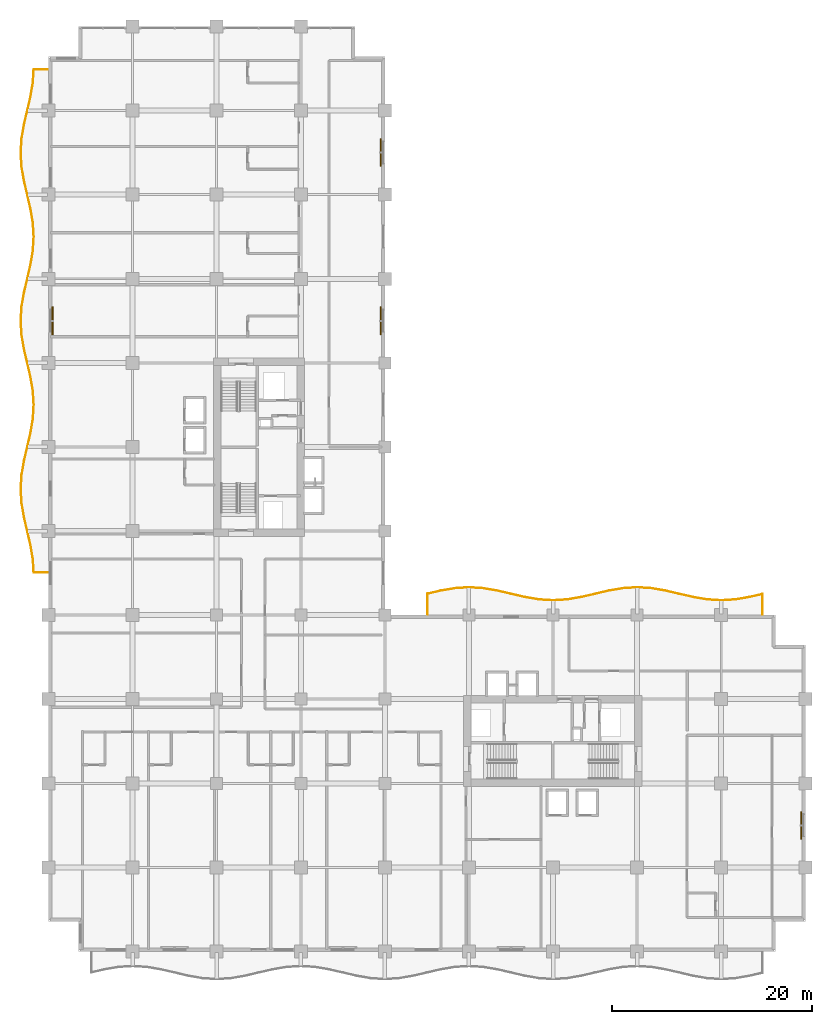
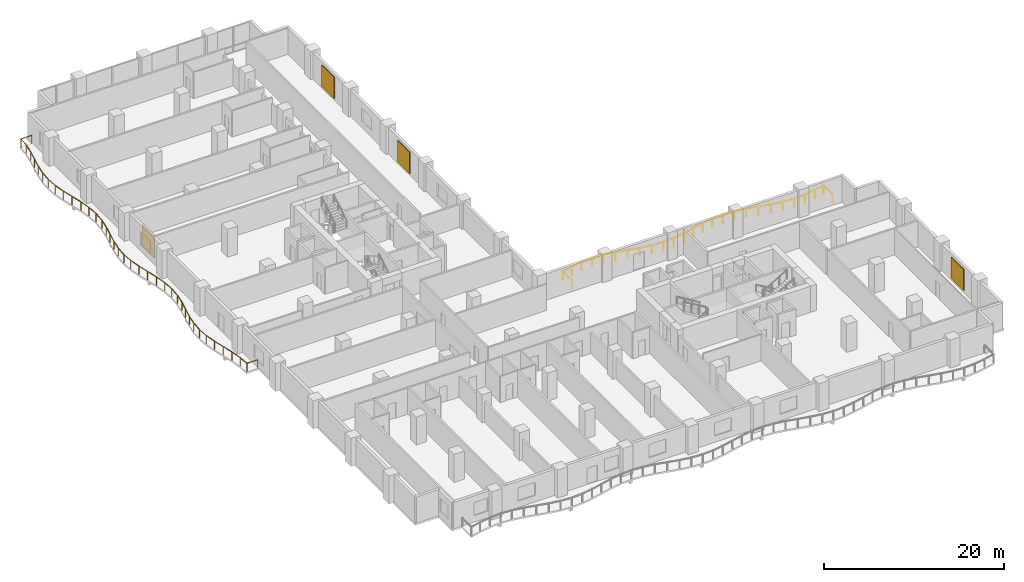
# One storey, part 20 of 20: 4 shading devices, 2 railings.
"""IFC4 building model written with IfcOpenShell, lengths in metres."""

from ifc_helpers import new_model, si_unit, direction, frame, origin, origin_2d, place, context, subcontext, project, spatial, rectangle, circle, extrude, material, layer, layer_set, type_object, element, save


model = new_model("IFC4")

# Units and contexts
model_context = context("Model", 3, precision=1e-05, world=origin(), true_north=direction((0.0, 1.0)))
body_context = subcontext(model_context, "Body", "Model", "MODEL_VIEW")
ifc_project = project(units=[si_unit("LENGTHUNIT", "METRE"), si_unit("AREAUNIT", "SQUARE_METRE"), si_unit("VOLUMEUNIT", "CUBIC_METRE"), si_unit("PLANEANGLEUNIT", "RADIAN"), si_unit("MASSUNIT", "GRAM", prefix="KILO")], contexts=[model_context])

# Site, building, storey
site_placement = place(None, origin())
site = spatial("IfcSite", under=ifc_project, at=site_placement, CompositionType="ELEMENT")
building_placement = place(site_placement, origin())
building = spatial("IfcBuilding", under=site, at=building_placement, Name="Koriwani Terraces Tower", CompositionType="ELEMENT")
storey_placement = place(building_placement, frame((0.0, 0.0, 126.60009765625)))
storey = spatial("IfcBuildingStorey", under=building, at=storey_placement, Name="L30", CompositionType="ELEMENT", Elevation=126.60009765625)

# Railings
ifc_material_1 = material(Name="Steel ASTM A572 Grade 50", Category="steel")
railing_type = type_object("IfcRailingType", Name="GUARD_BALUSTRADE_1150", PredefinedType="BALUSTRADE", material=ifc_material_1)
railing_1_placement = place(storey_placement, frame((-0.080078125, 37.8798828125, 0.0)))
element("IfcRailing", 1, at=railing_1_placement, inside=storey, type_object=railing_type, Name="L30 Balcony Perimeter Safety Balustrade (W)", PredefinedType="BALUSTRADE", context=body_context, shape_type="SweptSolid", body=[
    extrude(circle(Radius=0.02392578125, at=origin_2d()), frame((0.0, 0.0, 1.1259765625), z_axis=(-1.0, 0.0, 0.0), x_axis=(0.0, -1.0, 0.0)), (0.0, 0.0, 1.0), 1.394775390625),
    extrude(circle(Radius=0.02392578125, at=origin_2d()), frame((-1.394775390625, 0.0, 1.1259765625), z_axis=(-0.062138639454, 0.998067527518, 0.0), x_axis=(-0.998067527518, -0.062138639454, 0.0)), (0.0, 0.0, 1.0), 1.33203125),
    extrude(circle(Radius=0.02392578125, at=origin_2d()), frame((-1.4775390625, 1.329345703125, 1.1259765625), z_axis=(-0.167533954852, 0.985866306337, 0.0), x_axis=(-0.985866306337, -0.167533954852, 0.0)), (0.0, 0.0, 1.0), 1.4267578125),
    extrude(circle(Radius=0.02392578125, at=origin_2d()), frame((-1.716552734375, 2.73583984375, 1.1259765625), z_axis=(-0.226093729043, 0.974105551615, 0.0), x_axis=(-0.974105551615, -0.226093729043, 0.0)), (0.0, 0.0, 1.0), 2.87451171875),
    extrude(circle(Radius=0.02392578125, at=origin_2d()), frame((-2.366455078125, 5.535888671875, 1.1259765625), z_axis=(-0.167563594016, 0.985861269125, 0.0), x_axis=(-0.985861269125, -0.167563594016, 0.0)), (0.0, 0.0, 1.0), 1.413330078125),
    extrude(circle(Radius=0.02392578125, at=origin_2d()), frame((-2.603271484375, 6.92919921875, 1.1259765625), z_axis=(-0.062018352335, 0.998075009192, 0.0), x_axis=(-0.998075009192, -0.062018352335, 0.0)), (0.0, 0.0, 1.0), 1.3935546875),
    extrude(circle(Radius=0.02392578125, at=origin_2d()), frame((-2.689697265625, 8.320068359375, 1.1259765625), z_axis=(0.062018352335, 0.998075009192, 0.0), x_axis=(-0.998075009192, 0.062018352335, 0.0)), (0.0, 0.0, 1.0), 1.3935546875),
    extrude(circle(Radius=0.02392578125, at=origin_2d()), frame((-2.603271484375, 9.7109375, 1.1259765625), z_axis=(0.167563594016, 0.985861269125, 0.0), x_axis=(-0.985861269125, 0.167563594016, 0.0)), (0.0, 0.0, 1.0), 1.413330078125),
    extrude(circle(Radius=0.02392578125, at=origin_2d()), frame((-2.366455078125, 11.104248046875, 1.1259765625), z_axis=(0.226093729043, 0.974105551615, 0.0), x_axis=(-0.974105551615, 0.226093729043, 0.0)), (0.0, 0.0, 1.0), 2.87451171875),
    extrude(circle(Radius=0.02392578125, at=origin_2d()), frame((-1.716552734375, 13.904296875, 1.1259765625), z_axis=(0.16750569507, 0.985871108269, 0.0), x_axis=(-0.985871108269, 0.16750569507, 0.0)), (0.0, 0.0, 1.0), 1.427001953125),
    extrude(circle(Radius=0.02392578125, at=origin_2d()), frame((-1.4775390625, 15.31103515625, 1.1259765625), z_axis=(0.061904605217, 0.9980820707, 0.0), x_axis=(-0.9980820707, 0.061904605217, 0.0)), (0.0, 0.0, 1.0), 1.411865234375),
    extrude(circle(Radius=0.02392578125, at=origin_2d()), frame((-1.39013671875, 16.72021484375, 1.1259765625), z_axis=(-0.061904605217, 0.9980820707, 0.0), x_axis=(-0.9980820707, -0.061904605217, 0.0)), (0.0, 0.0, 1.0), 1.411865234375),
    extrude(circle(Radius=0.02392578125, at=origin_2d()), frame((-1.4775390625, 18.12939453125, 1.1259765625), z_axis=(-0.167533954852, 0.985866306337, 0.0), x_axis=(-0.985866306337, -0.167533954852, 0.0)), (0.0, 0.0, 1.0), 1.4267578125),
    extrude(circle(Radius=0.02392578125, at=origin_2d()), frame((-1.716552734375, 19.535888671875, 1.1259765625), z_axis=(-0.226093729043, 0.974105551615, 0.0), x_axis=(-0.974105551615, -0.226093729043, 0.0)), (0.0, 0.0, 1.0), 2.87451171875),
    extrude(circle(Radius=0.02392578125, at=origin_2d()), frame((-2.366455078125, 22.3359375, 1.1259765625), z_axis=(-0.167563594016, 0.985861269125, 0.0), x_axis=(-0.985861269125, -0.167563594016, 0.0)), (0.0, 0.0, 1.0), 1.413330078125),
    extrude(circle(Radius=0.02392578125, at=origin_2d()), frame((-2.603271484375, 23.729248046875, 1.1259765625), z_axis=(-0.062018352335, 0.998075009192, 0.0), x_axis=(-0.998075009192, -0.062018352335, 0.0)), (0.0, 0.0, 1.0), 1.3935546875),
    extrude(circle(Radius=0.02392578125, at=origin_2d()), frame((-2.689697265625, 25.1201171875, 1.1259765625), z_axis=(0.062018352335, 0.998075009192, 0.0), x_axis=(-0.998075009192, 0.062018352335, 0.0)), (0.0, 0.0, 1.0), 1.3935546875),
    extrude(circle(Radius=0.02392578125, at=origin_2d()), frame((-2.603271484375, 26.510986328125, 1.1259765625), z_axis=(0.167563594016, 0.985861269125, 0.0), x_axis=(-0.985861269125, 0.167563594016, 0.0)), (0.0, 0.0, 1.0), 1.413330078125),
    extrude(circle(Radius=0.02392578125, at=origin_2d()), frame((-2.366455078125, 27.904296875, 1.1259765625), z_axis=(0.226093729043, 0.974105551615, 0.0), x_axis=(-0.974105551615, 0.226093729043, 0.0)), (0.0, 0.0, 1.0), 2.87451171875),
    extrude(circle(Radius=0.02392578125, at=origin_2d()), frame((-1.716552734375, 30.704345703125, 1.1259765625), z_axis=(0.167533954852, 0.985866306337, 0.0), x_axis=(-0.985866306337, 0.167533954852, 0.0)), (0.0, 0.0, 1.0), 1.4267578125),
    extrude(circle(Radius=0.02392578125, at=origin_2d()), frame((-1.4775390625, 32.11083984375, 1.1259765625), z_axis=(0.061904605217, 0.9980820707, 0.0), x_axis=(-0.9980820707, 0.061904605217, 0.0)), (0.0, 0.0, 1.0), 1.411865234375),
    extrude(circle(Radius=0.02392578125, at=origin_2d()), frame((-1.39013671875, 33.52001953125, 1.1259765625), z_axis=(-0.061904605217, 0.9980820707, 0.0), x_axis=(-0.9980820707, -0.061904605217, 0.0)), (0.0, 0.0, 1.0), 1.411865234375),
    extrude(circle(Radius=0.02392578125, at=origin_2d()), frame((-1.4775390625, 34.92919921875, 1.1259765625), z_axis=(-0.16750569507, 0.985871108269, 0.0), x_axis=(-0.985871108269, -0.16750569507, 0.0)), (0.0, 0.0, 1.0), 1.427001953125),
    extrude(circle(Radius=0.02392578125, at=origin_2d()), frame((-1.716552734375, 36.3359375, 1.1259765625), z_axis=(-0.226093729043, 0.974105551615, 0.0), x_axis=(-0.974105551615, -0.226093729043, 0.0)), (0.0, 0.0, 1.0), 2.87451171875),
    extrude(circle(Radius=0.02392578125, at=origin_2d()), frame((-2.366455078125, 39.135986328125, 1.1259765625), z_axis=(-0.167563594016, 0.985861269125, 0.0), x_axis=(-0.985861269125, -0.167563594016, 0.0)), (0.0, 0.0, 1.0), 1.413330078125),
    extrude(circle(Radius=0.02392578125, at=origin_2d()), frame((-2.603271484375, 40.529296875, 1.1259765625), z_axis=(-0.062018352335, 0.998075009192, 0.0), x_axis=(-0.998075009192, -0.062018352335, 0.0)), (0.0, 0.0, 1.0), 1.3935546875),
    extrude(circle(Radius=0.02392578125, at=origin_2d()), frame((-2.689697265625, 41.920166015625, 1.1259765625), z_axis=(0.062018352335, 0.998075009192, 0.0), x_axis=(-0.998075009192, 0.062018352335, 0.0)), (0.0, 0.0, 1.0), 1.3935546875),
    extrude(circle(Radius=0.02392578125, at=origin_2d()), frame((-2.603271484375, 43.31103515625, 1.1259765625), z_axis=(0.167563594016, 0.985861269125, 0.0), x_axis=(-0.985861269125, 0.167563594016, 0.0)), (0.0, 0.0, 1.0), 1.413330078125),
    extrude(circle(Radius=0.02392578125, at=origin_2d()), frame((-2.366455078125, 44.704345703125, 1.1259765625), z_axis=(0.226093729043, 0.974105551615, 0.0), x_axis=(-0.974105551615, 0.226093729043, 0.0)), (0.0, 0.0, 1.0), 2.87451171875),
    extrude(circle(Radius=0.02392578125, at=origin_2d()), frame((-1.716552734375, 47.50439453125, 1.1259765625), z_axis=(0.167533954852, 0.985866306337, 0.0), x_axis=(-0.985866306337, 0.167533954852, 0.0)), (0.0, 0.0, 1.0), 1.4267578125),
    extrude(circle(Radius=0.02392578125, at=origin_2d()), frame((-1.4775390625, 48.910888671875, 1.1259765625), z_axis=(0.062138639454, 0.998067527518, 0.0), x_axis=(-0.998067527518, 0.062138639454, 0.0)), (0.0, 0.0, 1.0), 1.33203125),
    extrude(circle(Radius=0.02392578125, at=origin_2d()), frame((-1.394775390625, 50.240234375, 1.1259765625), z_axis=(1.0, 0.0, 0.0), x_axis=(0.0, 1.0, 0.0)), (0.0, 0.0, 1.0), 1.394775390625),
    extrude(circle(Radius=0.02099609375, at=origin_2d()), origin(), (0.0, 0.0, 1.0), 1.101806640625),
    extrude(circle(Radius=0.02099609375, at=origin_2d()), frame((-1.394775390625, 0.0, 0.0)), (0.0, 0.0, 1.0), 1.101806640625),
    extrude(circle(Radius=0.02099609375, at=origin_2d()), frame((-1.4775390625, 1.329345703125, 0.0)), (0.0, 0.0, 1.0), 1.101806640625),
    extrude(circle(Radius=0.02099609375, at=origin_2d()), frame((-1.716552734375, 2.73583984375, 0.0)), (0.0, 0.0, 1.0), 1.101806640625),
    extrude(circle(Radius=0.02099609375, at=origin_2d()), frame((-2.04150390625, 4.1357421875, 0.0)), (0.0, 0.0, 1.0), 1.101806640625),
    extrude(circle(Radius=0.02099609375, at=origin_2d()), frame((-2.366455078125, 5.535888671875, 0.0)), (0.0, 0.0, 1.0), 1.101806640625),
    extrude(circle(Radius=0.02099609375, at=origin_2d()), frame((-2.603271484375, 6.92919921875, 0.0)), (0.0, 0.0, 1.0), 1.101806640625),
    extrude(circle(Radius=0.02099609375, at=origin_2d()), frame((-2.689697265625, 8.320068359375, 0.0)), (0.0, 0.0, 1.0), 1.101806640625),
    extrude(circle(Radius=0.02099609375, at=origin_2d()), frame((-2.603271484375, 9.7109375, 0.0)), (0.0, 0.0, 1.0), 1.101806640625),
    extrude(circle(Radius=0.02099609375, at=origin_2d()), frame((-2.366455078125, 11.104248046875, 0.0)), (0.0, 0.0, 1.0), 1.101806640625),
    extrude(circle(Radius=0.02099609375, at=origin_2d()), frame((-2.04150390625, 12.50439453125, 0.0)), (0.0, 0.0, 1.0), 1.101806640625),
    extrude(circle(Radius=0.02099609375, at=origin_2d()), frame((-1.716552734375, 13.904296875, 0.0)), (0.0, 0.0, 1.0), 1.101806640625),
    extrude(circle(Radius=0.02099609375, at=origin_2d()), frame((-1.4775390625, 15.31103515625, 0.0)), (0.0, 0.0, 1.0), 1.101806640625),
    extrude(circle(Radius=0.02099609375, at=origin_2d()), frame((-1.39013671875, 16.72021484375, 0.0)), (0.0, 0.0, 1.0), 1.101806640625),
    extrude(circle(Radius=0.02099609375, at=origin_2d()), frame((-1.4775390625, 18.12939453125, 0.0)), (0.0, 0.0, 1.0), 1.101806640625),
    extrude(circle(Radius=0.02099609375, at=origin_2d()), frame((-1.716552734375, 19.535888671875, 0.0)), (0.0, 0.0, 1.0), 1.101806640625),
    extrude(circle(Radius=0.02099609375, at=origin_2d()), frame((-2.04150390625, 20.93603515625, 0.0)), (0.0, 0.0, 1.0), 1.101806640625),
    extrude(circle(Radius=0.02099609375, at=origin_2d()), frame((-2.366455078125, 22.3359375, 0.0)), (0.0, 0.0, 1.0), 1.101806640625),
    extrude(circle(Radius=0.02099609375, at=origin_2d()), frame((-2.603271484375, 23.729248046875, 0.0)), (0.0, 0.0, 1.0), 1.101806640625),
    extrude(circle(Radius=0.02099609375, at=origin_2d()), frame((-2.689697265625, 25.1201171875, 0.0)), (0.0, 0.0, 1.0), 1.101806640625),
    extrude(circle(Radius=0.02099609375, at=origin_2d()), frame((-2.603271484375, 26.510986328125, 0.0)), (0.0, 0.0, 1.0), 1.101806640625),
    extrude(circle(Radius=0.02099609375, at=origin_2d()), frame((-2.366455078125, 27.904296875, 0.0)), (0.0, 0.0, 1.0), 1.101806640625),
    extrude(circle(Radius=0.02099609375, at=origin_2d()), frame((-2.04150390625, 29.30419921875, 0.0)), (0.0, 0.0, 1.0), 1.101806640625),
    extrude(circle(Radius=0.02099609375, at=origin_2d()), frame((-1.716552734375, 30.704345703125, 0.0)), (0.0, 0.0, 1.0), 1.101806640625),
    extrude(circle(Radius=0.02099609375, at=origin_2d()), frame((-1.4775390625, 32.11083984375, 0.0)), (0.0, 0.0, 1.0), 1.101806640625),
    extrude(circle(Radius=0.02099609375, at=origin_2d()), frame((-1.39013671875, 33.52001953125, 0.0)), (0.0, 0.0, 1.0), 1.101806640625),
    extrude(circle(Radius=0.02099609375, at=origin_2d()), frame((-1.4775390625, 34.92919921875, 0.0)), (0.0, 0.0, 1.0), 1.101806640625),
    extrude(circle(Radius=0.02099609375, at=origin_2d()), frame((-1.716552734375, 36.3359375, 0.0)), (0.0, 0.0, 1.0), 1.101806640625),
    extrude(circle(Radius=0.02099609375, at=origin_2d()), frame((-2.04150390625, 37.73583984375, 0.0)), (0.0, 0.0, 1.0), 1.101806640625),
    extrude(circle(Radius=0.02099609375, at=origin_2d()), frame((-2.366455078125, 39.135986328125, 0.0)), (0.0, 0.0, 1.0), 1.101806640625),
    extrude(circle(Radius=0.02099609375, at=origin_2d()), frame((-2.603271484375, 40.529296875, 0.0)), (0.0, 0.0, 1.0), 1.101806640625),
    extrude(circle(Radius=0.02099609375, at=origin_2d()), frame((-2.689697265625, 41.920166015625, 0.0)), (0.0, 0.0, 1.0), 1.101806640625),
    extrude(circle(Radius=0.02099609375, at=origin_2d()), frame((-2.603271484375, 43.31103515625, 0.0)), (0.0, 0.0, 1.0), 1.101806640625),
    extrude(circle(Radius=0.02099609375, at=origin_2d()), frame((-2.366455078125, 44.704345703125, 0.0)), (0.0, 0.0, 1.0), 1.101806640625),
    extrude(circle(Radius=0.02099609375, at=origin_2d()), frame((-2.04150390625, 46.1044921875, 0.0)), (0.0, 0.0, 1.0), 1.101806640625),
    extrude(circle(Radius=0.02099609375, at=origin_2d()), frame((-1.716552734375, 47.50439453125, 0.0)), (0.0, 0.0, 1.0), 1.101806640625),
    extrude(circle(Radius=0.02099609375, at=origin_2d()), frame((-1.4775390625, 48.910888671875, 0.0)), (0.0, 0.0, 1.0), 1.101806640625),
    extrude(circle(Radius=0.02099609375, at=origin_2d()), frame((-1.394775390625, 50.240234375, 0.0)), (0.0, 0.0, 1.0), 1.101806640625),
    extrude(circle(Radius=0.02099609375, at=origin_2d()), frame((0.0, 50.240234375, 0.0)), (0.0, 0.0, 1.0), 1.101806640625),
])
railing_2_placement = place(storey_placement, frame((71.320068359375, 33.679931640625, 0.0)))
element("IfcRailing", 2, at=railing_2_placement, inside=storey, type_object=railing_type, Name="L30 Balcony Perimeter Safety Balustrade (NE)", PredefinedType="BALUSTRADE", context=body_context, shape_type="SweptSolid", body=[
    extrude(circle(Radius=0.02392578125, at=origin_2d()), frame((0.0, 0.0, 1.1259765625), z_axis=(0.0, 1.0, 0.0), x_axis=(-1.0, 0.0, 0.0)), (0.0, 0.0, 1.0), 2.019287109375),
    extrude(circle(Radius=0.02392578125, at=origin_2d()), frame((0.0, 2.019287109375, 1.1259765625), z_axis=(-0.974110823857, -0.226071012836, 0.0), x_axis=(0.226071012836, -0.974110823857, 0.0)), (0.0, 0.0, 1.0), 1.339111328125),
    extrude(circle(Radius=0.02392578125, at=origin_2d()), frame((-1.304443359375, 1.716552734375, 1.1259765625), z_axis=(-0.985894557597, -0.167367623213, 0.0), x_axis=(0.167367623213, -0.985894557597, 0.0)), (0.0, 0.0, 1.0), 1.426513671875),
    extrude(circle(Radius=0.02392578125, at=origin_2d()), frame((-2.7109375, 1.477783203125, 1.1259765625), z_axis=(-0.9980820707, -0.061904605217, 0.0), x_axis=(0.061904605217, -0.9980820707, 0.0)), (0.0, 0.0, 1.0), 1.411865234375),
    extrude(circle(Radius=0.02392578125, at=origin_2d()), frame((-4.1201171875, 1.390380859375, 1.1259765625), z_axis=(-0.9980820707, 0.061904605217, 0.0), x_axis=(-0.061904605217, -0.9980820707, 0.0)), (0.0, 0.0, 1.0), 1.411865234375),
    extrude(circle(Radius=0.02392578125, at=origin_2d()), frame((-5.529296875, 1.477783203125, 1.1259765625), z_axis=(-0.985894557597, 0.167367623213, 0.0), x_axis=(-0.167367623213, -0.985894557597, 0.0)), (0.0, 0.0, 1.0), 1.426513671875),
    extrude(circle(Radius=0.02392578125, at=origin_2d()), frame((-6.935791015625, 1.716552734375, 1.1259765625), z_axis=(-0.974105551615, 0.226093729043, 0.0), x_axis=(-0.226093729043, -0.974105551615, 0.0)), (0.0, 0.0, 1.0), 2.87451171875),
    extrude(circle(Radius=0.02392578125, at=origin_2d()), frame((-9.73583984375, 2.366455078125, 1.1259765625), z_axis=(-0.985861269125, 0.167563594016, 0.0), x_axis=(-0.167563594016, -0.985861269125, 0.0)), (0.0, 0.0, 1.0), 1.413330078125),
    extrude(circle(Radius=0.02392578125, at=origin_2d()), frame((-11.129150390625, 2.603271484375, 1.1259765625), z_axis=(-0.998064149781, 0.062192868733, 0.0), x_axis=(-0.062192868733, -0.998064149781, 0.0)), (0.0, 0.0, 1.0), 1.3935546875),
    extrude(circle(Radius=0.02392578125, at=origin_2d()), frame((-12.52001953125, 2.68994140625, 1.1259765625), z_axis=(-0.998064149781, -0.062192868733, 0.0), x_axis=(0.062192868733, -0.998064149781, 0.0)), (0.0, 0.0, 1.0), 1.3935546875),
    extrude(circle(Radius=0.02392578125, at=origin_2d()), frame((-13.910888671875, 2.603271484375, 1.1259765625), z_axis=(-0.985861269125, -0.167563594016, 0.0), x_axis=(0.167563594016, -0.985861269125, 0.0)), (0.0, 0.0, 1.0), 1.413330078125),
    extrude(circle(Radius=0.02392578125, at=origin_2d()), frame((-15.30419921875, 2.366455078125, 1.1259765625), z_axis=(-0.974105551615, -0.226093729043, 0.0), x_axis=(0.226093729043, -0.974105551615, 0.0)), (0.0, 0.0, 1.0), 2.87451171875),
    extrude(circle(Radius=0.02392578125, at=origin_2d()), frame((-18.104248046875, 1.716552734375, 1.1259765625), z_axis=(-0.985899350136, -0.16733938987, 0.0), x_axis=(0.16733938987, -0.985899350136, 0.0)), (0.0, 0.0, 1.0), 1.4267578125),
    extrude(circle(Radius=0.02392578125, at=origin_2d()), frame((-19.510986328125, 1.477783203125, 1.1259765625), z_axis=(-0.9980820707, -0.061904605217, 0.0), x_axis=(0.061904605217, -0.9980820707, 0.0)), (0.0, 0.0, 1.0), 1.411865234375),
    extrude(circle(Radius=0.02392578125, at=origin_2d()), frame((-20.920166015625, 1.390380859375, 1.1259765625), z_axis=(-0.9980820707, 0.061904605217, 0.0), x_axis=(-0.061904605217, -0.9980820707, 0.0)), (0.0, 0.0, 1.0), 1.411865234375),
    extrude(circle(Radius=0.02392578125, at=origin_2d()), frame((-22.329345703125, 1.477783203125, 1.1259765625), z_axis=(-0.985894557597, 0.167367623213, 0.0), x_axis=(-0.167367623213, -0.985894557597, 0.0)), (0.0, 0.0, 1.0), 1.426513671875),
    extrude(circle(Radius=0.02392578125, at=origin_2d()), frame((-23.73583984375, 1.716552734375, 1.1259765625), z_axis=(-0.974105551615, 0.226093729043, 0.0), x_axis=(-0.226093729043, -0.974105551615, 0.0)), (0.0, 0.0, 1.0), 2.87451171875),
    extrude(circle(Radius=0.02392578125, at=origin_2d()), frame((-26.535888671875, 2.366455078125, 1.1259765625), z_axis=(-0.985861269125, 0.167563594016, 0.0), x_axis=(-0.167563594016, -0.985861269125, 0.0)), (0.0, 0.0, 1.0), 1.413330078125),
    extrude(circle(Radius=0.02392578125, at=origin_2d()), frame((-27.92919921875, 2.603271484375, 1.1259765625), z_axis=(-0.998064149781, 0.062192868733, 0.0), x_axis=(-0.062192868733, -0.998064149781, 0.0)), (0.0, 0.0, 1.0), 1.3935546875),
    extrude(circle(Radius=0.02392578125, at=origin_2d()), frame((-29.320068359375, 2.68994140625, 1.1259765625), z_axis=(-0.998064149781, -0.062192868733, 0.0), x_axis=(0.062192868733, -0.998064149781, 0.0)), (0.0, 0.0, 1.0), 1.3935546875),
    extrude(circle(Radius=0.02392578125, at=origin_2d()), frame((-30.7109375, 2.603271484375, 1.1259765625), z_axis=(-0.985861269125, -0.167563594016, 0.0), x_axis=(0.167563594016, -0.985861269125, 0.0)), (0.0, 0.0, 1.0), 1.413330078125),
    extrude(circle(Radius=0.02392578125, at=origin_2d()), frame((-32.104248046875, 2.366455078125, 1.1259765625), z_axis=(-0.974108402531, -0.226081445763, 0.0), x_axis=(0.226081445763, -0.974108402531, 0.0)), (0.0, 0.0, 1.0), 1.371337890625),
    extrude(circle(Radius=0.02392578125, at=origin_2d()), frame((-33.440185546875, 2.056396484375, 1.1259765625), z_axis=(0.0, -1.0, 0.0), x_axis=(1.0, 0.0, 0.0)), (0.0, 0.0, 1.0), 2.056396484375),
    extrude(circle(Radius=0.02099609375, at=origin_2d()), origin(), (0.0, 0.0, 1.0), 1.101806640625),
    extrude(circle(Radius=0.02099609375, at=origin_2d()), frame((0.0, 2.019287109375, 0.0)), (0.0, 0.0, 1.0), 1.101806640625),
    extrude(circle(Radius=0.02099609375, at=origin_2d()), frame((-1.304443359375, 1.716552734375, 0.0)), (0.0, 0.0, 1.0), 1.101806640625),
    extrude(circle(Radius=0.02099609375, at=origin_2d()), frame((-2.7109375, 1.477783203125, 0.0)), (0.0, 0.0, 1.0), 1.101806640625),
    extrude(circle(Radius=0.02099609375, at=origin_2d()), frame((-4.1201171875, 1.390380859375, 0.0)), (0.0, 0.0, 1.0), 1.101806640625),
    extrude(circle(Radius=0.02099609375, at=origin_2d()), frame((-5.529296875, 1.477783203125, 0.0)), (0.0, 0.0, 1.0), 1.101806640625),
    extrude(circle(Radius=0.02099609375, at=origin_2d()), frame((-6.935791015625, 1.716552734375, 0.0)), (0.0, 0.0, 1.0), 1.101806640625),
    extrude(circle(Radius=0.02099609375, at=origin_2d()), frame((-8.3359375, 2.04150390625, 0.0)), (0.0, 0.0, 1.0), 1.101806640625),
    extrude(circle(Radius=0.02099609375, at=origin_2d()), frame((-9.73583984375, 2.366455078125, 0.0)), (0.0, 0.0, 1.0), 1.101806640625),
    extrude(circle(Radius=0.02099609375, at=origin_2d()), frame((-11.129150390625, 2.603271484375, 0.0)), (0.0, 0.0, 1.0), 1.101806640625),
    extrude(circle(Radius=0.02099609375, at=origin_2d()), frame((-12.52001953125, 2.68994140625, 0.0)), (0.0, 0.0, 1.0), 1.101806640625),
    extrude(circle(Radius=0.02099609375, at=origin_2d()), frame((-13.910888671875, 2.603271484375, 0.0)), (0.0, 0.0, 1.0), 1.101806640625),
    extrude(circle(Radius=0.02099609375, at=origin_2d()), frame((-15.30419921875, 2.366455078125, 0.0)), (0.0, 0.0, 1.0), 1.101806640625),
    extrude(circle(Radius=0.02099609375, at=origin_2d()), frame((-16.7041015625, 2.04150390625, 0.0)), (0.0, 0.0, 1.0), 1.101806640625),
    extrude(circle(Radius=0.02099609375, at=origin_2d()), frame((-18.104248046875, 1.716552734375, 0.0)), (0.0, 0.0, 1.0), 1.101806640625),
    extrude(circle(Radius=0.02099609375, at=origin_2d()), frame((-19.510986328125, 1.477783203125, 0.0)), (0.0, 0.0, 1.0), 1.101806640625),
    extrude(circle(Radius=0.02099609375, at=origin_2d()), frame((-20.920166015625, 1.390380859375, 0.0)), (0.0, 0.0, 1.0), 1.101806640625),
    extrude(circle(Radius=0.02099609375, at=origin_2d()), frame((-22.329345703125, 1.477783203125, 0.0)), (0.0, 0.0, 1.0), 1.101806640625),
    extrude(circle(Radius=0.02099609375, at=origin_2d()), frame((-23.73583984375, 1.716552734375, 0.0)), (0.0, 0.0, 1.0), 1.101806640625),
    extrude(circle(Radius=0.02099609375, at=origin_2d()), frame((-25.1357421875, 2.04150390625, 0.0)), (0.0, 0.0, 1.0), 1.101806640625),
    extrude(circle(Radius=0.02099609375, at=origin_2d()), frame((-26.535888671875, 2.366455078125, 0.0)), (0.0, 0.0, 1.0), 1.101806640625),
    extrude(circle(Radius=0.02099609375, at=origin_2d()), frame((-27.92919921875, 2.603271484375, 0.0)), (0.0, 0.0, 1.0), 1.101806640625),
    extrude(circle(Radius=0.02099609375, at=origin_2d()), frame((-29.320068359375, 2.68994140625, 0.0)), (0.0, 0.0, 1.0), 1.101806640625),
    extrude(circle(Radius=0.02099609375, at=origin_2d()), frame((-30.7109375, 2.603271484375, 0.0)), (0.0, 0.0, 1.0), 1.101806640625),
    extrude(circle(Radius=0.02099609375, at=origin_2d()), frame((-32.104248046875, 2.366455078125, 0.0)), (0.0, 0.0, 1.0), 1.101806640625),
    extrude(circle(Radius=0.02099609375, at=origin_2d()), frame((-33.440185546875, 2.056396484375, 0.0)), (0.0, 0.0, 1.0), 1.101806640625),
    extrude(circle(Radius=0.02099609375, at=origin_2d()), frame((-33.440185546875, 0.0, 0.0)), (0.0, 0.0, 1.0), 1.101806640625),
])

# Shading devices
ifc_material_2 = material(Name="Extruded Terracotta Clay", Category="masonry")
ifc_layer = layer(ifc_material_2, 0.1201171875, Name="Extruded Terracotta Clay")
ifc_layer_set = layer_set([ifc_layer], Name="Extruded Terracotta Clay")
shading_device_type = type_object("IfcShadingDeviceType", Name="TERRACOTTA_BAGUETTE_SCREEN_2800", PredefinedType="USERDEFINED", material=ifc_layer_set)
for number, where, z_axis, x_axis, name in (
    (3, (0.405029296875, 63.0, 0.324951171875), (0.0, 0.0, 1.0), (0.0, 1.0, 0.0), "L30 Extruded Terracotta Baguette Screen (W-21)"),
    (4, (33.195068359375, 63.0, 0.324951171875), (0.0, 0.0, 1.0), (0.0, -1.0, 0.0), "L30 Extruded Terracotta Baguette Screen (NW_IN-11)"),
    (5, (33.195068359375, 79.800048828125, 0.324951171875), (0.0, 0.0, 1.0), (0.0, -1.0, 0.0), "L30 Extruded Terracotta Baguette Screen (NW_IN-17)"),
    (6, (75.195068359375, 12.60009765625, 0.324951171875), (0.0, 0.0, 1.0), (0.0, -1.0, 0.0), "L30 Extruded Terracotta Baguette Screen (E_TIP-3)"),
):
    element("IfcShadingDevice", number, at=place(storey_placement, frame(where, z_axis=z_axis, x_axis=x_axis)), inside=storey, type_object=shading_device_type, Name=name, ObjectType="BAGUETTE", PredefinedType="USERDEFINED", context=body_context, shape_type="SweptSolid", body=[
        extrude(rectangle(XDim=2.760009765625, YDim=0.1201171875, at=origin_2d()), origin(), (0.0, 0.0, 1.0), 2.89990234375),
    ])

save(model, "model.ifc")
